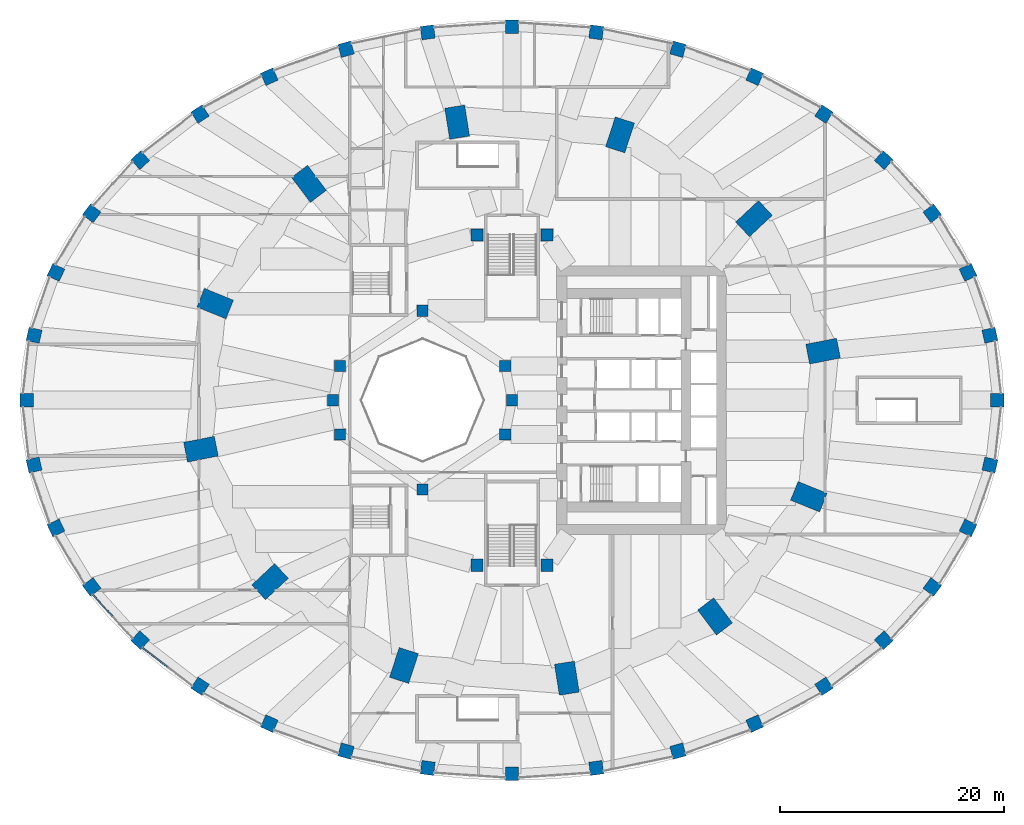
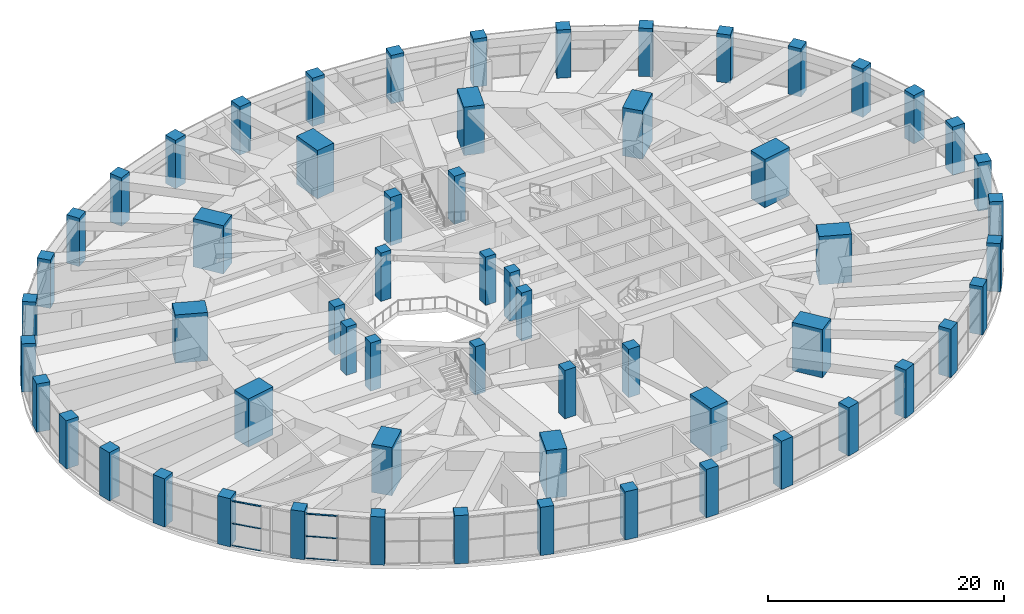
# One storey, part 1 of 30: 60 columns, 6 members, 2 elements without a shape of their own.
"""IFC4 building model written with IfcOpenShell, lengths in metres."""

from ifc_helpers import new_model, si_unit, direction, frame, origin, origin_2d, place, context, subcontext, project, spatial, rectangle, extrude, material, material_profile, profile_set, type_object, element, aggregate, save


model = new_model("IFC4")

# Units and contexts
model_context = context("Model", 3, precision=1e-05, world=origin(), true_north=direction((0.0, 1.0)))
body_context = subcontext(model_context, "Body", "Model", "MODEL_VIEW")
ifc_project = project(units=[si_unit("LENGTHUNIT", "METRE"), si_unit("AREAUNIT", "SQUARE_METRE"), si_unit("VOLUMEUNIT", "CUBIC_METRE"), si_unit("PLANEANGLEUNIT", "RADIAN"), si_unit("MASSUNIT", "GRAM", prefix="KILO")], contexts=[model_context])

# Site, building, storey
site_placement = place(None, origin())
site = spatial("IfcSite", under=ifc_project, at=site_placement, CompositionType="ELEMENT")
building_placement = place(site_placement, origin())
building = spatial("IfcBuilding", under=site, at=building_placement, Name="Taillehof Tower", CompositionType="ELEMENT")
storey_placement = place(building_placement, frame((0.0, 0.0, 12.5)))
storey = spatial("IfcBuildingStorey", under=building, at=storey_placement, Name="L02", CompositionType="ELEMENT", Elevation=12.5)

# Columns
ifc_material_1 = material(Name="Concrete C50/60", Category="concrete")
ifc_material_profile_1 = material_profile(ifc_material_1, rectangle(XDim=1.0, YDim=1.0, at=origin_2d()), Name="RC 1000x1000")
ifc_profile_set_1 = profile_set([ifc_material_profile_1], Name="Concrete C50/60")
column_type_1 = type_object("IfcColumnType", Name="Atrium ring column C50/60 1000x1000", PredefinedType="COLUMN", material=ifc_profile_set_1)
for number, where, z_axis, x_axis, name in (
    (1, (0.0, 0.0, 0.0), (0.0, 0.0, 1.0), (1.0, 0.0, 0.0), "Column AC01"),
    (2, (-16.0, 0.0, 0.0), (0.0, 0.0, 1.0), (1.0, 0.0, 0.0), "Column AC09"),
):
    element("IfcColumn", number, at=place(storey_placement, frame(where, z_axis=z_axis, x_axis=x_axis)), inside=storey, type_object=column_type_1, Name=name, PredefinedType="COLUMN", context=body_context, shape_type="SweptSolid", body=[
        extrude(rectangle(XDim=1.0, YDim=1.0, at=origin_2d()), origin(), (0.0, 0.0, 1.0), 5.0),
    ])
ifc_material_2 = material(Name="Concrete C60/75", Category="concrete")
ifc_material_profile_2 = material_profile(ifc_material_2, rectangle(XDim=1.0, YDim=1.0, at=origin_2d()), Name="RC 1000x1000")
ifc_profile_set_2 = profile_set([ifc_material_profile_2], Name="Concrete C60/75")
column_type_2 = type_object("IfcColumnType", Name="Atrium ring column C60/75 1000x1000", PredefinedType="COLUMN", material=ifc_profile_set_2)
for number, where, z_axis, x_axis, name in (
    (3, (-0.60888671875, 3.0615234375, 0.0), (0.0, 0.0, 1.0), (1.0, 0.0, 0.0), "Column AC02"),
    (4, (-8.0, 8.0, 0.0), (0.0, 0.0, 1.0), (1.0, 0.0, 0.0), "Column AC05"),
    (5, (-15.39111328125, 3.0615234375, 0.0), (0.0, 0.0, 1.0), (1.0, 0.0, 0.0), "Column AC08"),
    (6, (-15.39111328125, -3.0615234375, 0.0), (0.0, 0.0, 1.0), (1.0, 0.0, 0.0), "Column AC10"),
    (7, (-8.0, -8.0, 0.0), (0.0, 0.0, 1.0), (1.0, 0.0, 0.0), "Column AC13"),
    (8, (-0.60888671875, -3.0615234375, 0.0), (0.0, 0.0, 1.0), (1.0, 0.0, 0.0), "Column AC16"),
):
    element("IfcColumn", number, at=place(storey_placement, frame(where, z_axis=z_axis, x_axis=x_axis)), inside=storey, type_object=column_type_2, Name=name, PredefinedType="COLUMN", context=body_context, shape_type="SweptSolid", body=[
        extrude(rectangle(XDim=1.0, YDim=1.0, at=origin_2d()), origin(), (0.0, 0.0, 1.0), 5.0),
    ])
ifc_material_3 = material(Name="Concrete C80/95", Category="concrete")
ifc_material_profile_3 = material_profile(ifc_material_3, rectangle(XDim=2.800048828125, YDim=1.800048828125, at=origin_2d()), Name="RC 2800x1800")
ifc_profile_set_3 = profile_set([ifc_material_profile_3], Name="Concrete C80/95")
column_type_3 = type_object("IfcColumnType", Name="Mega column C80/95 2800x1800", PredefinedType="COLUMN", material=ifc_profile_set_3)
for number, where, z_axis, x_axis, name in (
    (9, (27.82080078125, 4.384521484375, 0.0), (0.0, 0.0, 1.0), (0.98120354895, 0.192975634545, 0.0), "Mega column MG01"),
    (10, (21.640869140625, 16.23046875, 0.0), (0.0, 0.0, 1.0), (0.730113022917, 0.683326403535, 0.0), "Mega column MG02"),
    (11, (9.662109375, 23.727294921875, 0.0), (0.0, 0.0, 1.0), (0.310219183529, 0.950665060981, 0.0), "Mega column MG03"),
    (12, (-4.905517578125, 24.866455078125, 0.0), (0.0, 0.0, 1.0), (-0.15614709407, 0.987733812833, 0.0), "Mega column MG04"),
    (13, (-18.15869140625, 19.342529296875, 0.0), (0.0, 0.0, 1.0), (-0.601173783055, 0.79911831575, 0.0), "Mega column MG05"),
    (14, (-26.54638671875, 8.635986328125, 0.0), (0.0, 0.0, 1.0), (-0.926558045297, 0.37615181602, 0.0), "Mega column MG06"),
    (15, (-27.82080078125, -4.384521484375, 0.0), (0.0, 0.0, 1.0), (-0.98120354895, -0.192975634545, 0.0), "Mega column MG07"),
    (16, (-21.640869140625, -16.23046875, 0.0), (0.0, 0.0, 1.0), (-0.730113022917, -0.683326403535, 0.0), "Mega column MG08"),
    (17, (-9.662109375, -23.727294921875, 0.0), (0.0, 0.0, 1.0), (-0.310219183529, -0.950665060981, 0.0), "Mega column MG09"),
    (18, (4.905517578125, -24.866455078125, 0.0), (0.0, 0.0, 1.0), (0.15614709407, -0.987733812833, 0.0), "Mega column MG10"),
    (19, (18.15869140625, -19.342529296875, 0.0), (0.0, 0.0, 1.0), (0.601173783055, -0.79911831575, 0.0), "Mega column MG11"),
    (20, (26.54638671875, -8.635986328125, 0.0), (0.0, 0.0, 1.0), (0.926558045297, -0.37615181602, 0.0), "Mega column MG12"),
):
    element("IfcColumn", number, at=place(storey_placement, frame(where, z_axis=z_axis, x_axis=x_axis)), inside=storey, type_object=column_type_3, Name=name, PredefinedType="COLUMN", context=body_context, shape_type="SweptSolid", body=[
        extrude(rectangle(XDim=2.800048828125, YDim=1.800048828125, at=origin_2d()), origin(), (0.0, 0.0, 1.0), 5.0),
    ])
ifc_material_4 = material(Name="Concrete C70/85", Category="concrete")
ifc_material_profile_4 = material_profile(ifc_material_4, rectangle(XDim=1.10009765625, YDim=1.10009765625, at=origin_2d()), Name="RC 1100x1100")
ifc_profile_set_4 = profile_set([ifc_material_profile_4], Name="Concrete C70/85")
column_type_4 = type_object("IfcColumnType", Name="Mid-ring column C70/85 1100x1100", PredefinedType="COLUMN", material=ifc_profile_set_4)
for number, where, z_axis, x_axis, name in (
    (21, (3.125732421875, 14.772216796875, 0.0), (0.0, 0.0, 1.0), (1.0, 0.0, 0.0), "Column MC05"),
    (22, (3.125732421875, -14.772216796875, 0.0), (0.0, 0.0, 1.0), (1.0, 0.0, 0.0), "Column MC15"),
):
    element("IfcColumn", number, at=place(storey_placement, frame(where, z_axis=z_axis, x_axis=x_axis)), inside=storey, type_object=column_type_4, Name=name, PredefinedType="COLUMN", context=body_context, shape_type="SweptSolid", body=[
        extrude(rectangle(XDim=1.10009765625, YDim=1.10009765625, at=origin_2d()), origin(), (0.0, 0.0, 1.0), 5.0),
    ])
ifc_material_5 = material(Name="Concrete C80/95", Category="concrete")
ifc_material_profile_5 = material_profile(ifc_material_5, rectangle(XDim=1.10009765625, YDim=1.10009765625, at=origin_2d()), Name="RC 1100x1100")
ifc_profile_set_5 = profile_set([ifc_material_profile_5], Name="Concrete C80/95")
column_type_5 = type_object("IfcColumnType", Name="Mid-ring column C80/95 1100x1100", PredefinedType="COLUMN", material=ifc_profile_set_5)
for number, where, z_axis, x_axis, name in (
    (23, (-3.125732421875, 14.772216796875, 0.0), (0.0, 0.0, 1.0), (1.0, 0.0, 0.0), "Column MC06"),
    (24, (-3.125732421875, -14.772216796875, 0.0), (0.0, 0.0, 1.0), (1.0, 0.0, 0.0), "Column MC14"),
):
    element("IfcColumn", number, at=place(storey_placement, frame(where, z_axis=z_axis, x_axis=x_axis)), inside=storey, type_object=column_type_5, Name=name, PredefinedType="COLUMN", context=body_context, shape_type="SweptSolid", body=[
        extrude(rectangle(XDim=1.10009765625, YDim=1.10009765625, at=origin_2d()), origin(), (0.0, 0.0, 1.0), 5.0),
    ])
ifc_material_6 = material(Name="Concrete C60/75", Category="concrete")
ifc_material_profile_6 = material_profile(ifc_material_6, rectangle(XDim=1.199951171875, YDim=1.199951171875, at=origin_2d()), Name="RC 1200x1200")
ifc_profile_set_6 = profile_set([ifc_material_profile_6], Name="Concrete C60/75")
column_type_6 = type_object("IfcColumnType", Name="Podium column C60/75 1200x1200", PredefinedType="COLUMN", material=ifc_profile_set_6)
for number, where, z_axis, x_axis, name in (
    (25, (43.39990234375, 0.0, 0.0), (0.0, 0.0, 1.0), (1.0, 0.0, 0.0), "Podium column PC01"),
    (26, (42.74072265625, 5.7998046875, 0.0), (0.0, 0.0, 1.0), (0.974939689593, 0.222469327451, 0.0), "Podium column PC02"),
    (27, (40.78271484375, 11.423583984375, 0.0), (0.0, 0.0, 1.0), (0.904668034967, 0.426117057284, 0.0), "Podium column PC03"),
    (28, (37.58544921875, 16.699951171875, 0.0), (0.0, 0.0, 1.0), (0.80109108527, 0.598542457225, 0.0), "Podium column PC04"),
    (29, (33.246337890625, 21.468994140625, 0.0), (0.0, 0.0, 1.0), (0.677415246737, 0.735600831626, 0.0), "Podium column PC05"),
    (30, (27.89697265625, 25.5859375, 0.0), (0.0, 0.0, 1.0), (0.544041391531, 0.839058379554, 0.0), "Podium column PC06"),
    (31, (21.699951171875, 28.92529296875, 0.0), (0.0, 0.0, 1.0), (0.407426758957, 0.913237885814, 0.0), "Podium column PC07"),
    (32, (14.84375, 31.3857421875, 0.0), (0.0, 0.0, 1.0), (0.270745277365, 0.962651024403, 0.0), "Podium column PC08"),
    (33, (7.536376953125, 32.892578125, 0.0), (0.0, 0.0, 1.0), (0.13500518998, 0.990844891332, 0.0), "Podium column PC09"),
    (34, (0.0, 33.39990234375, 0.0), (0.0, 0.0, 1.0), (0.0, 1.0, 0.0), "Podium column PC10"),
    (35, (-7.536376953125, 32.892578125, 0.0), (0.0, 0.0, 1.0), (-0.13500518998, 0.990844891332, 0.0), "Podium column PC11"),
    (36, (-14.84375, 31.3857421875, 0.0), (0.0, 0.0, 1.0), (-0.270745277365, 0.962651024403, 0.0), "Podium column PC12"),
    (37, (-21.699951171875, 28.92529296875, 0.0), (0.0, 0.0, 1.0), (-0.407426758957, 0.913237885814, 0.0), "Podium column PC13"),
    (38, (-27.89697265625, 25.5859375, 0.0), (0.0, 0.0, 1.0), (-0.544041391531, 0.839058379554, 0.0), "Podium column PC14"),
    (39, (-33.246337890625, 21.468994140625, 0.0), (0.0, 0.0, 1.0), (-0.677415246737, 0.735600831626, 0.0), "Podium column PC15"),
    (40, (-37.58544921875, 16.699951171875, 0.0), (0.0, 0.0, 1.0), (-0.80109108527, 0.598542457225, 0.0), "Podium column PC16"),
    (41, (-40.78271484375, 11.423583984375, 0.0), (0.0, 0.0, 1.0), (-0.904668034967, 0.426117057284, 0.0), "Podium column PC17"),
    (42, (-42.74072265625, 5.7998046875, 0.0), (0.0, 0.0, 1.0), (-0.974939689593, 0.222469327451, 0.0), "Podium column PC18"),
    (43, (-43.39990234375, 0.0, 0.0), (0.0, 0.0, 1.0), (-1.0, 0.0, 0.0), "Podium column PC19"),
    (44, (-42.74072265625, -5.7998046875, 0.0), (0.0, 0.0, 1.0), (-0.974939689593, -0.222469327451, 0.0), "Podium column PC20"),
    (45, (-40.78271484375, -11.423583984375, 0.0), (0.0, 0.0, 1.0), (-0.904668034967, -0.426117057284, 0.0), "Podium column PC21"),
    (46, (-37.58544921875, -16.699951171875, 0.0), (0.0, 0.0, 1.0), (-0.80109108527, -0.598542457225, 0.0), "Podium column PC22"),
    (47, (-33.246337890625, -21.468994140625, 0.0), (0.0, 0.0, 1.0), (-0.677415246737, -0.735600831626, 0.0), "Podium column PC23"),
    (48, (-27.89697265625, -25.5859375, 0.0), (0.0, 0.0, 1.0), (-0.544041391531, -0.839058379554, 0.0), "Podium column PC24"),
    (49, (-21.699951171875, -28.92529296875, 0.0), (0.0, 0.0, 1.0), (-0.407426758957, -0.913237885814, 0.0), "Podium column PC25"),
    (50, (-14.84375, -31.3857421875, 0.0), (0.0, 0.0, 1.0), (-0.270745277365, -0.962651024403, 0.0), "Podium column PC26"),
    (51, (-7.536376953125, -32.892578125, 0.0), (0.0, 0.0, 1.0), (-0.13500518998, -0.990844891332, 0.0), "Podium column PC27"),
    (52, (0.0, -33.39990234375, 0.0), (0.0, 0.0, 1.0), (0.0, -1.0, 0.0), "Podium column PC28"),
    (53, (7.536376953125, -32.892578125, 0.0), (0.0, 0.0, 1.0), (0.13500518998, -0.990844891332, 0.0), "Podium column PC29"),
    (54, (14.84375, -31.3857421875, 0.0), (0.0, 0.0, 1.0), (0.270745277365, -0.962651024403, 0.0), "Podium column PC30"),
    (55, (21.699951171875, -28.92529296875, 0.0), (0.0, 0.0, 1.0), (0.407426758957, -0.913237885814, 0.0), "Podium column PC31"),
    (56, (27.89697265625, -25.5859375, 0.0), (0.0, 0.0, 1.0), (0.544041391531, -0.839058379554, 0.0), "Podium column PC32"),
    (57, (33.246337890625, -21.468994140625, 0.0), (0.0, 0.0, 1.0), (0.677415246737, -0.735600831626, 0.0), "Podium column PC33"),
    (58, (37.58544921875, -16.699951171875, 0.0), (0.0, 0.0, 1.0), (0.80109108527, -0.598542457225, 0.0), "Podium column PC34"),
    (59, (40.78271484375, -11.423583984375, 0.0), (0.0, 0.0, 1.0), (0.904668034967, -0.426117057284, 0.0), "Podium column PC35"),
    (60, (42.74072265625, -5.7998046875, 0.0), (0.0, 0.0, 1.0), (0.974939689593, -0.222469327451, 0.0), "Podium column PC36"),
):
    element("IfcColumn", number, at=place(storey_placement, frame(where, z_axis=z_axis, x_axis=x_axis)), inside=storey, type_object=column_type_6, Name=name, PredefinedType="COLUMN", context=body_context, shape_type="SweptSolid", body=[
        extrude(rectangle(XDim=1.199951171875, YDim=1.199951171875, at=origin_2d()), origin(), (0.0, 0.0, 1.0), 5.0),
    ])

# Curtain wall, members
ifc_material_7 = material(Name="Aluminium curtain wall with Clear low-emissivity double glazing", Category="aluminium")
curtain_wall_type = type_object("IfcCurtainWallType", Name="Podium window wall curtain wall", PredefinedType="USERDEFINED", material=ifc_material_7)
curtain_wall_1_placement = place(storey_placement, origin())
curtain_wall_1 = element("IfcCurtainWall", 61, at=curtain_wall_1_placement, inside=storey, type_object=curtain_wall_type, Name="Podium window wall L02 bay 22", ObjectType="WINDOW WALL", PredefinedType="USERDEFINED")
ifc_material_8 = material(Name="Aluminium transom", Category="aluminium")
ifc_material_profile_7 = material_profile(ifc_material_8, rectangle(XDim=0.1201171875, YDim=0.06005859375, at=origin_2d()), Name="AL 120x60")
ifc_profile_set_7 = profile_set([ifc_material_profile_7], Name="Aluminium transom")
member_type = type_object("IfcMemberType", Name="Podium window wall transom 120x60", PredefinedType="USERDEFINED", material=ifc_profile_set_7)
member_1_placement = place(storey_placement, frame((-37.479248046875, -17.406982421875, 0.030029296875), z_axis=(0.672911295482, -0.739723183639, 0.0), x_axis=(0.739723183639, 0.672911295482, 0.0)))
member_1 = element("IfcMember", 62, at=member_1_placement, type_object=member_type, Name="CT222 transom 1.1", ObjectType="TRANSOM", PredefinedType="USERDEFINED", context=body_context, shape_type="SweptSolid", body=[
    extrude(rectangle(XDim=0.1201171875, YDim=0.06005859375, at=origin_2d()), origin(), (0.0, 0.0, 1.0), 2.59814453125),
])
member_2_placement = place(storey_placement, frame((-37.479248046875, -17.406982421875, 2.324951171875), z_axis=(0.672911295482, -0.739723183639, 0.0), x_axis=(0.739723183639, 0.672911295482, 0.0)))
member_2 = element("IfcMember", 63, at=member_2_placement, type_object=member_type, Name="CT222 transom 1.2", ObjectType="TRANSOM", PredefinedType="USERDEFINED", context=body_context, shape_type="SweptSolid", body=[
    extrude(rectangle(XDim=0.1201171875, YDim=0.06005859375, at=origin_2d()), origin(), (0.0, 0.0, 1.0), 2.59814453125),
])
member_3_placement = place(storey_placement, frame((-37.479248046875, -17.406982421875, 4.6201171875), z_axis=(0.672911295482, -0.739723183639, 0.0), x_axis=(0.739723183639, 0.672911295482, 0.0)))
member_3 = element("IfcMember", 64, at=member_3_placement, type_object=member_type, Name="CT222 transom 1.3", ObjectType="TRANSOM", PredefinedType="USERDEFINED", context=body_context, shape_type="SweptSolid", body=[
    extrude(rectangle(XDim=0.1201171875, YDim=0.06005859375, at=origin_2d()), origin(), (0.0, 0.0, 1.0), 2.59814453125),
])
aggregate(curtain_wall_1, [member_1, member_2, member_3])

curtain_wall_2_placement = place(storey_placement, origin())
curtain_wall_2 = element("IfcCurtainWall", 65, at=curtain_wall_2_placement, inside=storey, type_object=curtain_wall_type, Name="Podium window wall L02 bay 23", ObjectType="WINDOW WALL", PredefinedType="USERDEFINED")
member_4_placement = place(storey_placement, frame((-33.015625, -22.1484375, 0.030029296875), z_axis=(0.792438906392, -0.609951292839, 0.0), x_axis=(0.609951292839, 0.792438906392, 0.0)))
member_4 = element("IfcMember", 66, at=member_4_placement, type_object=member_type, Name="CT223 transom 1.1", ObjectType="TRANSOM", PredefinedType="USERDEFINED", context=body_context, shape_type="SweptSolid", body=[
    extrude(rectangle(XDim=0.1201171875, YDim=0.06005859375, at=origin_2d()), origin(), (0.0, 0.0, 1.0), 2.74658203125),
])
member_5_placement = place(storey_placement, frame((-33.015625, -22.1484375, 2.324951171875), z_axis=(0.792438906392, -0.609951292839, 0.0), x_axis=(0.609951292839, 0.792438906392, 0.0)))
member_5 = element("IfcMember", 67, at=member_5_placement, type_object=member_type, Name="CT223 transom 1.2", ObjectType="TRANSOM", PredefinedType="USERDEFINED", context=body_context, shape_type="SweptSolid", body=[
    extrude(rectangle(XDim=0.1201171875, YDim=0.06005859375, at=origin_2d()), origin(), (0.0, 0.0, 1.0), 2.74658203125),
])
member_6_placement = place(storey_placement, frame((-33.015625, -22.1484375, 4.6201171875), z_axis=(0.792438906392, -0.609951292839, 0.0), x_axis=(0.609951292839, 0.792438906392, 0.0)))
member_6 = element("IfcMember", 68, at=member_6_placement, type_object=member_type, Name="CT223 transom 1.3", ObjectType="TRANSOM", PredefinedType="USERDEFINED", context=body_context, shape_type="SweptSolid", body=[
    extrude(rectangle(XDim=0.1201171875, YDim=0.06005859375, at=origin_2d()), origin(), (0.0, 0.0, 1.0), 2.74658203125),
])
aggregate(curtain_wall_2, [member_4, member_5, member_6])

save(model, "model.ifc")
